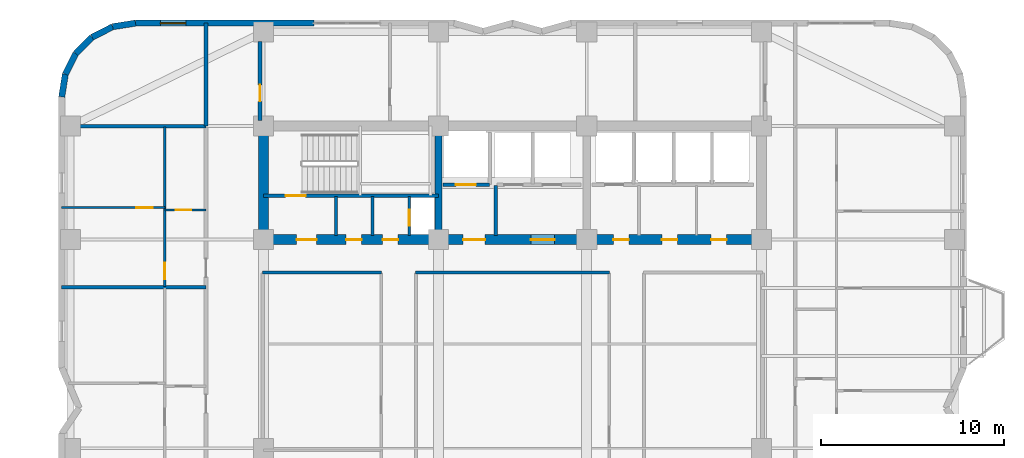
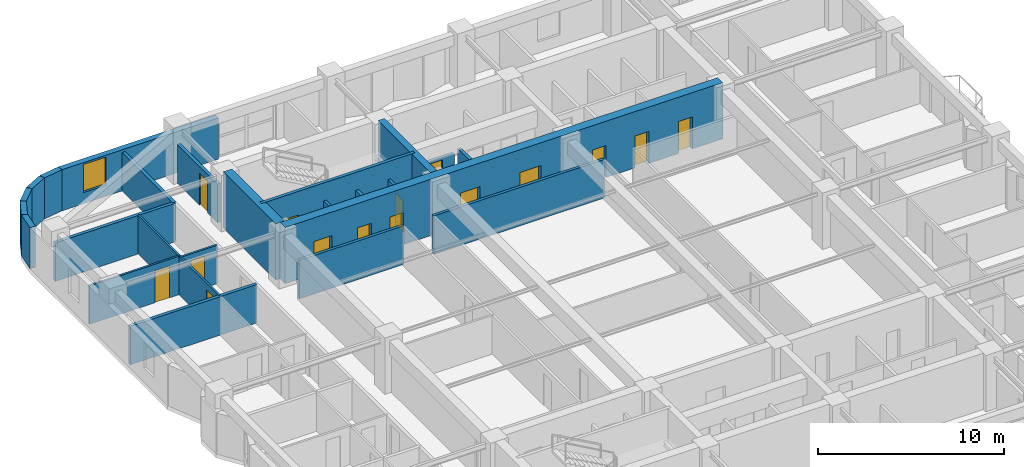
# One storey, part 11 of 15: 24 walls, 15 doors, 1 window, 16 openings.
"""IFC4 building model written with IfcOpenShell, lengths in metres."""

from ifc_helpers import new_model, si_unit, direction, frame, frame_2d, origin, place, context, subcontext, project, spatial, rectangle, extrude, material, layer, layer_set, type_object, element, fill, save


model = new_model("IFC4")

# Units and contexts
model_context = context("Model", 3, precision=1e-05, world=origin(), true_north=direction((0.0, 1.0)))
body_context = subcontext(model_context, "Body", "Model", "MODEL_VIEW")
ifc_project = project(units=[si_unit("LENGTHUNIT", "METRE"), si_unit("AREAUNIT", "SQUARE_METRE"), si_unit("VOLUMEUNIT", "CUBIC_METRE"), si_unit("PLANEANGLEUNIT", "RADIAN"), si_unit("MASSUNIT", "GRAM", prefix="KILO")], contexts=[model_context])

# Site, building, storey
site_placement = place(None, origin())
site = spatial("IfcSite", under=ifc_project, at=site_placement, CompositionType="ELEMENT")
building_placement = place(site_placement, origin())
building = spatial("IfcBuilding", under=site, at=building_placement, Name="Svetorya Sky Lyceum", CompositionType="ELEMENT")
storey_placement = place(building_placement, frame((0.0, 0.0, 99.39990234375)))
storey = spatial("IfcBuildingStorey", under=building, at=storey_placement, Name="L24", CompositionType="ELEMENT", Elevation=99.39990234375)

# Walls
ifc_material_1 = material(Name="Concrete C40/50", Category="concrete")
ifc_layer_1 = layer(ifc_material_1, 0.39990234375)
ifc_layer_set_1 = layer_set([ifc_layer_1], Name="Concrete C40/50")
wall_type_1 = type_object("IfcWallType", Name="WL-CORE-400", PredefinedType="SHEAR", material=ifc_layer_set_1)
wall_1_placement = place(storey_placement, frame((35.14990234375, 39.875, 0.0), z_axis=(0.0, 0.0, 1.0), x_axis=(0.0, 1.0, 0.0)))
element("IfcWall", 1, at=wall_1_placement, inside=storey, type_object=wall_type_1, Name="L24 NC Internal Shear Web WEB1", PredefinedType="SHEAR", context=body_context, shape_type="SweptSolid", body=[
    extrude(rectangle(XDim=5.64990234375, YDim=0.39990234375, at=frame_2d((2.824951171875, 0.0))), origin(), (0.0, 0.0, 1.0), 3.7001953125),
])
ifc_material_2 = material(Name="Concrete C60/75", Category="concrete")
ifc_layer_2 = layer(ifc_material_2, 0.550048828125)
ifc_layer_set_2 = layer_set([ifc_layer_2], Name="Concrete C60/75")
wall_type_2 = type_object("IfcWallType", Name="WL-CORE-550", PredefinedType="SHEAR", material=ifc_layer_set_2)
wall_2_placement = place(storey_placement, frame((25.60009765625, 39.875, 0.0), z_axis=(0.0, 0.0, 1.0), x_axis=(0.0, 1.0, 0.0)))
element("IfcWall", 2, at=wall_2_placement, inside=storey, type_object=wall_type_2, Name="L24 NC West Core Shear Wall", PredefinedType="SHEAR", context=body_context, shape_type="SweptSolid", body=[
    extrude(rectangle(XDim=5.64990234375, YDim=0.550048828125, at=frame_2d((2.824951171875, 0.0))), origin(), (0.0, 0.0, 1.0), 3.7001953125),
])

# Wall, openings, doors
wall_3_placement = place(storey_placement, frame((52.800048828125, 39.60009765625, 0.0), z_axis=(0.0, 0.0, 1.0), x_axis=(-1.0, 0.0, 0.0)))
wall_3 = element("IfcWall", 3, at=wall_3_placement, inside=storey, type_object=wall_type_2, Name="L24 NC Inner Core Shear Wall", PredefinedType="SHEAR", context=body_context, shape_type="SweptSolid", body=[
    extrude(rectangle(XDim=27.199951171875, YDim=0.550048828125, at=frame_2d((13.60009765625, 0.0))), origin(), (0.0, 0.0, 1.0), 3.7001953125),
])
opening_1_placement = place(wall_3_placement, frame((24.300048828125, 0.0, 0.0)))
opening_1 = element("IfcOpeningElement", 4, at=opening_1_placement, cuts=wall_3, Name="Opening D-ST1", PredefinedType="OPENING", context=body_context, shape_type="SweptSolid", body=[
    extrude(rectangle(XDim=1.10009765625, YDim=2.14990234375, at=frame_2d((0.550048828125, 1.074951171875))), frame((0.0, 0.284912109375, 0.0), z_axis=(0.0, -1.0, 0.0), x_axis=(1.0, 0.0, 0.0)), (0.0, 0.0, 1.0), 0.570068359375),
])
opening_2_placement = place(wall_3_placement, frame((21.85009765625, 0.0, 0.0)))
opening_2 = element("IfcOpeningElement", 5, at=opening_2_placement, cuts=wall_3, Name="Opening D-CWC1", PredefinedType="OPENING", context=body_context, shape_type="SweptSolid", body=[
    extrude(rectangle(XDim=0.85009765625, YDim=2.10009765625, at=frame_2d((0.425048828125, 1.050048828125))), frame((0.0, 0.284912109375, 0.0), z_axis=(0.0, -1.0, 0.0), x_axis=(1.0, 0.0, 0.0)), (0.0, 0.0, 1.0), 0.570068359375),
])
opening_3_placement = place(wall_3_placement, frame((19.85009765625, 0.0, 0.0)))
opening_3 = element("IfcOpeningElement", 6, at=opening_3_placement, cuts=wall_3, Name="Opening D-CWC1", PredefinedType="OPENING", context=body_context, shape_type="SweptSolid", body=[
    extrude(rectangle(XDim=0.85009765625, YDim=2.10009765625, at=frame_2d((0.425048828125, 1.050048828125))), frame((0.0, 0.284912109375, 0.0), z_axis=(0.0, -1.0, 0.0), x_axis=(1.0, 0.0, 0.0)), (0.0, 0.0, 1.0), 0.570068359375),
])
opening_4_placement = place(wall_3_placement, frame((15.10009765625, 0.0, 0.0)))
opening_4 = element("IfcOpeningElement", 7, at=opening_4_placement, cuts=wall_3, Name="Opening D-FL1", PredefinedType="OPENING", context=body_context, shape_type="SweptSolid", body=[
    extrude(rectangle(XDim=1.199951171875, YDim=2.14990234375, at=frame_2d((0.60009765625, 1.074951171875))), frame((0.0, 0.284912109375, 0.0), z_axis=(0.0, -1.0, 0.0), x_axis=(1.0, 0.0, 0.0)), (0.0, 0.0, 1.0), 0.570068359375),
])
opening_5_placement = place(wall_3_placement, frame((11.300048828125, 0.0, 0.0)))
opening_5 = element("IfcOpeningElement", 8, at=opening_5_placement, cuts=wall_3, Name="Opening D-LB1", PredefinedType="OPENING", context=body_context, shape_type="SweptSolid", body=[
    extrude(rectangle(XDim=1.300048828125, YDim=2.199951171875, at=frame_2d((0.64990234375, 1.10009765625))), frame((0.0, 0.284912109375, 0.0), z_axis=(0.0, -1.0, 0.0), x_axis=(1.0, 0.0, 0.0)), (0.0, 0.0, 1.0), 0.570068359375),
])
opening_6_placement = place(wall_3_placement, frame((7.25, 0.0, 0.0)))
opening_6 = element("IfcOpeningElement", 9, at=opening_6_placement, cuts=wall_3, Name="Opening D-CWC1", PredefinedType="OPENING", context=body_context, shape_type="SweptSolid", body=[
    extrude(rectangle(XDim=0.85009765625, YDim=2.10009765625, at=frame_2d((0.425048828125, 1.050048828125))), frame((0.0, 0.284912109375, 0.0), z_axis=(0.0, -1.0, 0.0), x_axis=(1.0, 0.0, 0.0)), (0.0, 0.0, 1.0), 0.570068359375),
])
opening_7_placement = place(wall_3_placement, frame((4.60009765625, 0.0, 0.0)))
opening_7 = element("IfcOpeningElement", 10, at=opening_7_placement, cuts=wall_3, Name="Opening D-CWC1", PredefinedType="OPENING", context=body_context, shape_type="SweptSolid", body=[
    extrude(rectangle(XDim=0.85009765625, YDim=2.10009765625, at=frame_2d((0.425048828125, 1.050048828125))), frame((0.0, 0.284912109375, 0.0), z_axis=(0.0, -1.0, 0.0), x_axis=(1.0, 0.0, 0.0)), (0.0, 0.0, 1.0), 0.570068359375),
])
opening_8_placement = place(wall_3_placement, frame((1.89990234375, 0.0, 0.0)))
opening_8 = element("IfcOpeningElement", 11, at=opening_8_placement, cuts=wall_3, Name="Opening D-CWC1", PredefinedType="OPENING", context=body_context, shape_type="SweptSolid", body=[
    extrude(rectangle(XDim=0.85009765625, YDim=2.10009765625, at=frame_2d((0.425048828125, 1.050048828125))), frame((0.0, 0.284912109375, 0.0), z_axis=(0.0, -1.0, 0.0), x_axis=(1.0, 0.0, 0.0)), (0.0, 0.0, 1.0), 0.570068359375),
])
ifc_material_3 = material(Name="Fire-rated galvanized steel core service closet door", Category="steel")
door_type_1 = type_object("IfcDoorType", Name="DR-CWET-850", OperationType="SINGLE_SWING_LEFT", PredefinedType="DOOR", material=ifc_material_3)
door_1_placement = place(opening_2_placement, origin())
door_1 = element("IfcDoor", 12, at=door_1_placement, inside=storey, type_object=door_type_1, Name="L24 North Cleaner Door", OperationType="SINGLE_SWING_RIGHT", OverallHeight=2.10009765625, OverallWidth=0.85009765625, PredefinedType="DOOR", context=body_context, shape_type="SweptSolid", body=[
    extrude(rectangle(XDim=0.85009765625, YDim=2.10009765625, at=frame_2d((0.425048828125, 1.050048828125))), frame((0.0, 0.02490234375, 0.0), z_axis=(0.0, -1.0, 0.0), x_axis=(1.0, 0.0, 0.0)), (0.0, 0.0, 1.0), 0.050048828125),
])
fill(opening_2, door_1)
door_2_placement = place(opening_3_placement, origin())
door_2 = element("IfcDoor", 13, at=door_2_placement, inside=storey, type_object=door_type_1, Name="L24 North Meter Door", OperationType="SINGLE_SWING_LEFT", OverallHeight=2.10009765625, OverallWidth=0.85009765625, PredefinedType="DOOR", context=body_context, shape_type="SweptSolid", body=[
    extrude(rectangle(XDim=0.85009765625, YDim=2.10009765625, at=frame_2d((0.425048828125, 1.050048828125))), frame((0.0, 0.02490234375, 0.0), z_axis=(0.0, -1.0, 0.0), x_axis=(1.0, 0.0, 0.0)), (0.0, 0.0, 1.0), 0.050048828125),
])
fill(opening_3, door_2)
door_3_placement = place(opening_6_placement, origin())
door_3 = element("IfcDoor", 14, at=door_3_placement, inside=storey, type_object=door_type_1, Name="L24 Mid-Rise Lift PM3 Lobby Door", OperationType="SINGLE_SWING_LEFT", OverallHeight=2.10009765625, OverallWidth=0.85009765625, PredefinedType="DOOR", context=body_context, shape_type="SweptSolid", body=[
    extrude(rectangle(XDim=0.85009765625, YDim=2.10009765625, at=frame_2d((0.425048828125, 1.050048828125))), frame((0.0, 0.02490234375, 0.0), z_axis=(0.0, -1.0, 0.0), x_axis=(1.0, 0.0, 0.0)), (0.0, 0.0, 1.0), 0.050048828125),
])
fill(opening_6, door_3)
door_4_placement = place(opening_7_placement, origin())
door_4 = element("IfcDoor", 15, at=door_4_placement, inside=storey, type_object=door_type_1, Name="L24 Mid-Rise WC Door", OperationType="SINGLE_SWING_LEFT", OverallHeight=2.10009765625, OverallWidth=0.85009765625, PredefinedType="DOOR", context=body_context, shape_type="SweptSolid", body=[
    extrude(rectangle(XDim=0.85009765625, YDim=2.10009765625, at=frame_2d((0.425048828125, 1.050048828125))), frame((0.0, 0.02490234375, 0.0), z_axis=(0.0, -1.0, 0.0), x_axis=(1.0, 0.0, 0.0)), (0.0, 0.0, 1.0), 0.050048828125),
])
fill(opening_7, door_4)
door_5_placement = place(opening_8_placement, origin())
door_5 = element("IfcDoor", 16, at=door_5_placement, inside=storey, type_object=door_type_1, Name="L24 Mid-Rise Switch Closet Door", OperationType="SINGLE_SWING_RIGHT", OverallHeight=2.10009765625, OverallWidth=0.85009765625, PredefinedType="DOOR", context=body_context, shape_type="SweptSolid", body=[
    extrude(rectangle(XDim=0.85009765625, YDim=2.10009765625, at=frame_2d((0.425048828125, 1.050048828125))), frame((0.0, 0.02490234375, 0.0), z_axis=(0.0, -1.0, 0.0), x_axis=(1.0, 0.0, 0.0)), (0.0, 0.0, 1.0), 0.050048828125),
])
fill(opening_8, door_5)
ifc_material_4 = material(Name="Powder-coated insulated galvanized stair fire door")
door_type_2 = type_object("IfcDoorType", Name="DR-FIRE-1100", OperationType="SINGLE_SWING_LEFT", PredefinedType="DOOR", material=ifc_material_4)
door_6_placement = place(opening_1_placement, origin())
door_6 = element("IfcDoor", 17, at=door_6_placement, inside=storey, type_object=door_type_2, Name="L24 North Stair Airlock Door", OperationType="SINGLE_SWING_LEFT", OverallHeight=2.14990234375, OverallWidth=1.10009765625, PredefinedType="DOOR", context=body_context, shape_type="SweptSolid", body=[
    extrude(rectangle(XDim=1.10009765625, YDim=2.14990234375, at=frame_2d((0.550048828125, 1.074951171875))), frame((0.0, 0.02490234375, 0.0), z_axis=(0.0, -1.0, 0.0), x_axis=(1.0, 0.0, 0.0)), (0.0, 0.0, 1.0), 0.050048828125),
])
fill(opening_1, door_6)
ifc_material_5 = material(Name="Powder-coated insulated galvanized fire door")
door_type_3 = type_object("IfcDoorType", Name="DR-FIRE-1200", OperationType="SINGLE_SWING_LEFT", PredefinedType="DOOR", material=ifc_material_5)
door_7_placement = place(opening_4_placement, origin())
door_7 = element("IfcDoor", 18, at=door_7_placement, inside=storey, type_object=door_type_3, Name="L24 North Firefighting Lift Lobby Door", OperationType="SINGLE_SWING_RIGHT", OverallHeight=2.14990234375, OverallWidth=1.199951171875, PredefinedType="DOOR", context=body_context, shape_type="SweptSolid", body=[
    extrude(rectangle(XDim=1.199951171875, YDim=2.14990234375, at=frame_2d((0.60009765625, 1.074951171875))), frame((0.0, 0.02490234375, 0.0), z_axis=(0.0, -1.0, 0.0), x_axis=(1.0, 0.0, 0.0)), (0.0, 0.0, 1.0), 0.050048828125),
])
fill(opening_4, door_7)
ifc_material_6 = material(Name="Glazed fire-rated aluminium lobby door", Category="aluminium")
door_type_4 = type_object("IfcDoorType", Name="DR-LOB-1300", OperationType="SINGLE_SWING_LEFT", PredefinedType="DOOR", material=ifc_material_6)
door_8_placement = place(opening_5_placement, origin())
door_8 = element("IfcDoor", 19, at=door_8_placement, inside=storey, type_object=door_type_4, Name="L24 Mid-Rise Lift Lobby West Door", OperationType="SINGLE_SWING_LEFT", OverallHeight=2.199951171875, OverallWidth=1.300048828125, PredefinedType="DOOR", context=body_context, shape_type="SweptSolid", body=[
    extrude(rectangle(XDim=1.300048828125, YDim=2.199951171875, at=frame_2d((0.64990234375, 1.10009765625))), frame((0.0, 0.02490234375, 0.0), z_axis=(0.0, -1.0, 0.0), x_axis=(1.0, 0.0, 0.0)), (0.0, 0.0, 1.0), 0.050048828125),
])
fill(opening_5, door_8)

# Wall, opening, window
ifc_material_7 = material(Name="Putilovo limestone rainscreen on autoclaved cellular masonry", Category="masonry")
ifc_layer_3 = layer(ifc_material_7, 0.340087890625)
ifc_layer_set_3 = layer_set([ifc_layer_3], Name="Putilovo limestone rainscreen on autoclaved cellular masonry")
wall_type_3 = type_object("IfcWallType", Name="WL-EXT-340", PredefinedType="SOLIDWALL", material=ifc_layer_set_3)
wall_4_placement = place(storey_placement, frame((28.35009765625, 51.429931640625, 0.0), z_axis=(0.0, 0.0, 1.0), x_axis=(-1.0, 0.0, 0.0)))
wall_4 = element("IfcWall", 20, at=wall_4_placement, inside=storey, type_object=wall_type_3, Name="L24 Limestone Exterior Wall 34B", PredefinedType="SOLIDWALL", context=body_context, shape_type="SweptSolid", body=[
    extrude(rectangle(XDim=9.75, YDim=0.340087890625, at=frame_2d((4.875, 0.0))), origin(), (0.0, 0.0, 1.0), 2.7001953125),
])
opening_9_placement = place(wall_4_placement, frame((6.99169921875, 0.0, 0.72998046875)))
opening_9 = element("IfcOpeningElement", 21, at=opening_9_placement, cuts=wall_4, Name="Opening W-R2", PredefinedType="OPENING", context=body_context, shape_type="SweptSolid", body=[
    extrude(rectangle(XDim=1.39990234375, YDim=1.85009765625, at=frame_2d((0.699951171875, 0.925048828125))), frame((0.0, 0.179931640625, 0.0), z_axis=(0.0, -1.0, 0.0), x_axis=(1.0, 0.0, 0.0)), (0.0, 0.0, 1.0), 0.360107421875),
])
ifc_material_8 = material(Name="Thermally broken aluminium frame with triple low-E glazing", Category="aluminium")
window_type = type_object("IfcWindowType", Name="WN-RES-140", PartitioningType="SINGLE_PANEL", PredefinedType="WINDOW", material=ifc_material_8)
window_placement = place(opening_9_placement, origin())
window = element("IfcWindow", 22, at=window_placement, inside=storey, type_object=window_type, Name="L24 Facade Window W-R2.34B.1", OverallHeight=1.85009765625, OverallWidth=1.39990234375, PartitioningType="SINGLE_PANEL", PredefinedType="WINDOW", context=body_context, shape_type="SweptSolid", body=[
    extrude(rectangle(XDim=1.39990234375, YDim=1.85009765625, at=frame_2d((0.699951171875, 0.925048828125))), frame((0.0, 0.030029296875, 0.0), z_axis=(0.0, -1.0, 0.0), x_axis=(1.0, 0.0, 0.0)), (0.0, 0.0, 1.0), 0.06005859375),
])
fill(opening_9, window)

# Walls
wall_5_placement = place(storey_placement, frame((18.60009765625, 51.429931640625, 0.0), z_axis=(0.0, 0.0, 1.0), x_axis=(-0.98771582066, -0.156260864002, 0.0)))
element("IfcWall", 23, at=wall_5_placement, inside=storey, type_object=wall_type_3, Name="L24 Limestone Exterior Wall 35M", PredefinedType="SOLIDWALL", context=body_context, shape_type="SweptSolid", body=[
    extrude(rectangle(XDim=1.2607421875, YDim=0.340087890625, at=frame_2d((0.63037109375, 0.0))), origin(), (0.0, 0.0, 1.0), 2.7001953125),
])
for number, where, z_axis, x_axis, name in (
    (24, (17.354736328125, 51.23291015625, 0.0), (0.0, 0.0, 1.0), (-0.890993689142, -0.454015689056, 0.0), "L24 Limestone Exterior Wall 36M"),
    (25, (16.231201171875, 50.660400390625, 0.0), (0.0, 0.0, 1.0), (-0.707106781187, -0.707106781187, 0.0), "L24 Limestone Exterior Wall 37M"),
    (26, (15.339599609375, 49.768798828125, 0.0), (0.0, 0.0, 1.0), (-0.454015689056, -0.890993689142, 0.0), "L24 Limestone Exterior Wall 38M"),
):
    element("IfcWall", number, at=place(storey_placement, frame(where, z_axis=z_axis, x_axis=x_axis)), inside=storey, type_object=wall_type_3, Name=name, PredefinedType="SOLIDWALL", context=body_context, shape_type="SweptSolid", body=[
        extrude(rectangle(XDim=1.260986328125, YDim=0.340087890625, at=frame_2d((0.63037109375, 0.0))), origin(), (0.0, 0.0, 1.0), 2.7001953125),
    ])
wall_6_placement = place(storey_placement, frame((14.76708984375, 48.645263671875, 0.0), z_axis=(0.0, 0.0, 1.0), x_axis=(-0.156260864002, -0.98771582066, 0.0)))
element("IfcWall", 27, at=wall_6_placement, inside=storey, type_object=wall_type_3, Name="L24 Limestone Exterior Wall 39M", PredefinedType="SOLIDWALL", context=body_context, shape_type="SweptSolid", body=[
    extrude(rectangle(XDim=1.2607421875, YDim=0.340087890625, at=frame_2d((0.63037109375, 0.0))), origin(), (0.0, 0.0, 1.0), 2.7001953125),
])

# Wall, opening, door
ifc_material_9 = material(Name="Twin-stud galvanized framing with double fireboard", Category="gypsum")
ifc_layer_4 = layer(ifc_material_9, 0.1201171875)
ifc_layer_set_4 = layer_set([ifc_layer_4], Name="Twin-stud galvanized framing with double fireboard")
wall_type_4 = type_object("IfcWallType", Name="WL-PART-120", PredefinedType="PARTITIONING", material=ifc_layer_set_4)
wall_7_placement = place(storey_placement, frame((20.199951171875, 41.219970703125, 0.0), z_axis=(0.0, 0.0, 1.0), x_axis=(1.0, 0.0, 0.0)))
wall_7 = element("IfcWall", 28, at=wall_7_placement, inside=storey, type_object=wall_type_4, Name="L24 Interior Partition W4-WH1", PredefinedType="PARTITIONING", context=body_context, shape_type="SweptSolid", body=[
    extrude(rectangle(XDim=2.25, YDim=0.1201171875, at=frame_2d((1.125, 0.0))), origin(), (0.0, 0.0, 1.0), 2.530029296875),
])
opening_10_placement = place(wall_7_placement, frame((0.60009765625, 0.0, 0.0)))
opening_10 = element("IfcOpeningElement", 29, at=opening_10_placement, cuts=wall_7, Name="Opening D-BT1", PredefinedType="OPENING", context=body_context, shape_type="SweptSolid", body=[
    extrude(rectangle(XDim=0.85009765625, YDim=2.10009765625, at=frame_2d((0.425048828125, 1.050048828125))), frame((0.0, 0.070068359375, 0.0), z_axis=(0.0, -1.0, 0.0), x_axis=(1.0, 0.0, 0.0)), (0.0, 0.0, 1.0), 0.14013671875),
])
ifc_material_10 = material(Name="Moisture-resistant laminate bathroom door")
door_type_5 = type_object("IfcDoorType", Name="DR-WET-850", OperationType="SINGLE_SWING_LEFT", PredefinedType="DOOR", material=ifc_material_10)
door_9_placement = place(opening_10_placement, origin())
door_9 = element("IfcDoor", 30, at=door_9_placement, inside=storey, type_object=door_type_5, Name="Apartment W4 Bathroom Door", OperationType="SINGLE_SWING_RIGHT", OverallHeight=2.10009765625, OverallWidth=0.85009765625, PredefinedType="DOOR", context=body_context, shape_type="SweptSolid", body=[
    extrude(rectangle(XDim=0.85009765625, YDim=2.10009765625, at=frame_2d((0.425048828125, 1.050048828125))), frame((0.0, 0.02490234375, 0.0), z_axis=(0.0, -1.0, 0.0), x_axis=(1.0, 0.0, 0.0)), (0.0, 0.0, 1.0), 0.050048828125),
])
fill(opening_10, door_9)

wall_8_placement = place(storey_placement, frame((14.570068359375, 41.35009765625, 0.0), z_axis=(0.0, 0.0, 1.0), x_axis=(1.0, 0.0, 0.0)))
wall_8 = element("IfcWall", 31, at=wall_8_placement, inside=storey, type_object=wall_type_4, Name="L24 Interior Partition W4-WL1", PredefinedType="PARTITIONING", context=body_context, shape_type="SweptSolid", body=[
    extrude(rectangle(XDim=5.6298828125, YDim=0.1201171875, at=frame_2d((2.81494140625, 0.0))), origin(), (0.0, 0.0, 1.0), 2.530029296875),
])
opening_11_placement = place(wall_8_placement, frame((4.080078125, 0.0, 0.0)))
opening_11 = element("IfcOpeningElement", 32, at=opening_11_placement, cuts=wall_8, Name="Opening D-RM1", PredefinedType="OPENING", context=body_context, shape_type="SweptSolid", body=[
    extrude(rectangle(XDim=0.89990234375, YDim=2.10009765625, at=frame_2d((0.449951171875, 1.050048828125))), frame((0.0, 0.070068359375, 0.0), z_axis=(0.0, -1.0, 0.0), x_axis=(1.0, 0.0, 0.0)), (0.0, 0.0, 1.0), 0.14013671875),
])
ifc_material_11 = material(Name="Lacquered birch veneer internal door")
door_type_6 = type_object("IfcDoorType", Name="DR-INT-900", OperationType="SINGLE_SWING_LEFT", PredefinedType="DOOR", material=ifc_material_11)
door_10_placement = place(opening_11_placement, origin())
door_10 = element("IfcDoor", 33, at=door_10_placement, inside=storey, type_object=door_type_6, Name="Apartment W4 Bedroom 1 Door", OperationType="SINGLE_SWING_RIGHT", OverallHeight=2.10009765625, OverallWidth=0.89990234375, PredefinedType="DOOR", context=body_context, shape_type="SweptSolid", body=[
    extrude(rectangle(XDim=0.89990234375, YDim=2.10009765625, at=frame_2d((0.449951171875, 1.050048828125))), frame((0.0, 0.02490234375, 0.0), z_axis=(0.0, -1.0, 0.0), x_axis=(1.0, 0.0, 0.0)), (0.0, 0.0, 1.0), 0.050048828125),
])
fill(opening_11, door_10)

wall_9_placement = place(storey_placement, frame((20.199951171875, 37.0400390625, 0.0), z_axis=(0.0, 0.0, 1.0), x_axis=(0.0, 1.0, 0.0)))
wall_9 = element("IfcWall", 34, at=wall_9_placement, inside=storey, type_object=wall_type_4, Name="L24 Interior Partition W4-WV", PredefinedType="PARTITIONING", context=body_context, shape_type="SweptSolid", body=[
    extrude(rectangle(XDim=8.719970703125, YDim=0.1201171875, at=frame_2d((4.35986328125, 0.0))), origin(), (0.0, 0.0, 1.0), 2.530029296875),
])
opening_12_placement = place(wall_9_placement, frame((0.409912109375, 0.0, 0.0)))
opening_12 = element("IfcOpeningElement", 35, at=opening_12_placement, cuts=wall_9, Name="Opening D-RM1", PredefinedType="OPENING", context=body_context, shape_type="SweptSolid", body=[
    extrude(rectangle(XDim=0.89990234375, YDim=2.10009765625, at=frame_2d((0.449951171875, 1.050048828125))), frame((0.0, 0.070068359375, 0.0), z_axis=(0.0, -1.0, 0.0), x_axis=(1.0, 0.0, 0.0)), (0.0, 0.0, 1.0), 0.14013671875),
])
door_11_placement = place(opening_12_placement, origin())
door_11 = element("IfcDoor", 36, at=door_11_placement, inside=storey, type_object=door_type_6, Name="Apartment W4 Living Door", OperationType="SINGLE_SWING_LEFT", OverallHeight=2.10009765625, OverallWidth=0.89990234375, PredefinedType="DOOR", context=body_context, shape_type="SweptSolid", body=[
    extrude(rectangle(XDim=0.89990234375, YDim=2.10009765625, at=frame_2d((0.449951171875, 1.050048828125))), frame((0.0, 0.02490234375, 0.0), z_axis=(0.0, -1.0, 0.0), x_axis=(1.0, 0.0, 0.0)), (0.0, 0.0, 1.0), 0.050048828125),
])
fill(opening_12, door_11)

ifc_material_12 = material(Name="Autoclaved cellular masonry blockwork with acoustic render", Category="masonry")
ifc_layer_5 = layer(ifc_material_12, 0.14990234375)
ifc_layer_set_5 = layer_set([ifc_layer_5], Name="Autoclaved cellular masonry blockwork with acoustic render")
wall_type_5 = type_object("IfcWallType", Name="WL-PART-150", PredefinedType="PARTITIONING", material=ifc_layer_set_5)
wall_10_placement = place(storey_placement, frame((33.550048828125, 39.820068359375, 0.0), z_axis=(0.0, 0.0, 1.0), x_axis=(0.0, 1.0, 0.0)))
wall_10 = element("IfcWall", 37, at=wall_10_placement, inside=storey, type_object=wall_type_5, Name="L24 Interior Partition NC-RSRW", PredefinedType="PARTITIONING", context=body_context, shape_type="SweptSolid", body=[
    extrude(rectangle(XDim=2.1298828125, YDim=0.14990234375, at=frame_2d((1.06494140625, 0.0))), origin(), (0.0, 0.0, 1.0), 2.530029296875),
])
opening_13_placement = place(wall_10_placement, frame((0.550048828125, 0.0, 0.0)))
opening_13 = element("IfcOpeningElement", 38, at=opening_13_placement, cuts=wall_10, Name="Opening D-SH1", PredefinedType="OPENING", context=body_context, shape_type="SweptSolid", body=[
    extrude(rectangle(XDim=0.85009765625, YDim=2.050048828125, at=frame_2d((0.425048828125, 1.02490234375))), frame((0.0, 0.0849609375, 0.0), z_axis=(0.0, -1.0, 0.0), x_axis=(1.0, 0.0, 0.0)), (0.0, 0.0, 1.0), 0.169921875),
])
ifc_material_13 = material(Name="Insulated galvanized riser inspection fire door")
door_type_7 = type_object("IfcDoorType", Name="DR-SHFT-850", OperationType="SINGLE_SWING_LEFT", PredefinedType="TRAPDOOR", material=ifc_material_13)
door_12_placement = place(opening_13_placement, origin())
door_12 = element("IfcDoor", 39, at=door_12_placement, inside=storey, type_object=door_type_7, Name="L24 North Riser Access Door", OperationType="SINGLE_SWING_LEFT", OverallHeight=2.050048828125, OverallWidth=0.85009765625, PredefinedType="TRAPDOOR", context=body_context, shape_type="SweptSolid", body=[
    extrude(rectangle(XDim=0.85009765625, YDim=2.050048828125, at=frame_2d((0.425048828125, 1.02490234375))), frame((0.0, 0.02490234375, 0.0), z_axis=(0.0, -1.0, 0.0), x_axis=(1.0, 0.0, 0.0)), (0.0, 0.0, 1.0), 0.050048828125),
])
fill(opening_13, door_12)

# Walls
ifc_material_14 = material(Name="Autoclaved cellular masonry blockwork with fire render", Category="masonry")
ifc_layer_6 = layer(ifc_material_14, 0.175048828125)
ifc_layer_set_6 = layer_set([ifc_layer_6], Name="Autoclaved cellular masonry blockwork with fire render")
wall_type_6 = type_object("IfcWallType", Name="WL-PART-175", PredefinedType="PARTITIONING", material=ifc_layer_set_6)
for number, where, z_axis, x_axis, name in (
    (40, (29.550048828125, 39.820068359375, 0.0), (0.0, 0.0, 1.0), (0.0, 1.0, 0.0), "L24 Interior Partition NC-NWD1"),
    (41, (31.550048828125, 39.820068359375, 0.0), (0.0, 0.0, 1.0), (0.0, 1.0, 0.0), "L24 Interior Partition NC-NWD2"),
):
    element("IfcWall", number, at=place(storey_placement, frame(where, z_axis=z_axis, x_axis=x_axis)), inside=storey, type_object=wall_type_6, Name=name, PredefinedType="PARTITIONING", context=body_context, shape_type="SweptSolid", body=[
        extrude(rectangle(XDim=2.1298828125, YDim=0.175048828125, at=frame_2d((1.06494140625, 0.0))), origin(), (0.0, 0.0, 1.0), 2.530029296875),
    ])
wall_11_placement = place(storey_placement, frame((25.550048828125, 37.800048828125, 0.0), z_axis=(0.0, 0.0, 1.0), x_axis=(1.0, 0.0, 0.0)))
element("IfcWall", 42, at=wall_11_placement, inside=storey, type_object=wall_type_6, Name="L24 Interior Partition RL-CN-W", PredefinedType="PARTITIONING", context=body_context, shape_type="SweptSolid", body=[
    extrude(rectangle(XDim=6.5, YDim=0.175048828125, at=frame_2d((3.25, 0.0))), origin(), (0.0, 0.0, 1.0), 2.530029296875),
])
wall_12_placement = place(storey_placement, frame((33.89990234375, 37.800048828125, 0.0), z_axis=(0.0, 0.0, 1.0), x_axis=(1.0, 0.0, 0.0)))
element("IfcWall", 43, at=wall_12_placement, inside=storey, type_object=wall_type_6, Name="L24 Interior Partition RL-CN-M", PredefinedType="PARTITIONING", context=body_context, shape_type="SweptSolid", body=[
    extrude(rectangle(XDim=10.60009765625, YDim=0.175048828125, at=frame_2d((5.300048828125, 0.0))), origin(), (0.0, 0.0, 1.0), 2.530029296875),
])

# Wall, opening, door
ifc_material_15 = material(Name="Autoclaved cellular masonry blockwork with gypsum plaster", Category="masonry")
ifc_layer_7 = layer(ifc_material_15, 0.199951171875)
ifc_layer_set_7 = layer_set([ifc_layer_7], Name="Autoclaved cellular masonry blockwork with gypsum plaster")
wall_type_7 = type_object("IfcWallType", Name="WL-PART-200", PredefinedType="PARTITIONING", material=ifc_layer_set_7)
wall_13_placement = place(storey_placement, frame((37.949951171875, 42.60009765625, 0.0), z_axis=(0.0, 0.0, 1.0), x_axis=(-1.0, 0.0, 0.0)))
wall_13 = element("IfcWall", 44, at=wall_13_placement, inside=storey, type_object=wall_type_7, Name="L24 Interior Partition NC-FL1W", PredefinedType="PARTITIONING", context=body_context, shape_type="SweptSolid", body=[
    extrude(rectangle(XDim=2.550048828125, YDim=0.199951171875, at=frame_2d((1.27490234375, 0.0))), origin(), (0.0, 0.0, 1.0), 2.300048828125),
])
opening_14_placement = place(wall_13_placement, frame((0.75, 0.0, 0.0)))
opening_14 = element("IfcOpeningElement", 45, at=opening_14_placement, cuts=wall_13, Name="Opening LD-FL", PredefinedType="OPENING", context=body_context, shape_type="SweptSolid", body=[
    extrude(rectangle(XDim=1.10009765625, YDim=2.14990234375, at=frame_2d((0.550048828125, 1.074951171875))), frame((0.0, 0.10986328125, 0.0), z_axis=(0.0, -1.0, 0.0), x_axis=(1.0, 0.0, 0.0)), (0.0, 0.0, 1.0), 0.219970703125),
])
ifc_material_16 = material(Name="Fire-rated stainless AISI 304 firefighting lift landing door")
door_type_8 = type_object("IfcDoorType", Name="DR-LIFT-1100", OperationType="SLIDING_TO_LEFT", PredefinedType="DOOR", material=ifc_material_16)
door_13_placement = place(opening_14_placement, origin())
door_13 = element("IfcDoor", 46, at=door_13_placement, inside=storey, type_object=door_type_8, Name="L24 Firefighting Lift FL1 Landing Door", OperationType="SLIDING_TO_LEFT", OverallHeight=2.14990234375, OverallWidth=1.10009765625, PredefinedType="DOOR", context=body_context, shape_type="SweptSolid", body=[
    extrude(rectangle(XDim=1.10009765625, YDim=2.14990234375, at=frame_2d((0.550048828125, 1.074951171875))), frame((0.0, 0.02490234375, 0.0), z_axis=(0.0, -1.0, 0.0), x_axis=(1.0, 0.0, 0.0)), (0.0, 0.0, 1.0), 0.050048828125),
])
fill(opening_14, door_13)

# Walls
wall_14_placement = place(storey_placement, frame((38.280029296875, 39.820068359375, 0.0), z_axis=(0.0, 0.0, 1.0), x_axis=(0.0, 1.0, 0.0)))
element("IfcWall", 47, at=wall_14_placement, inside=storey, type_object=wall_type_7, Name="L24 Interior Partition NC-FFLDIV", PredefinedType="PARTITIONING", context=body_context, shape_type="SweptSolid", body=[
    extrude(rectangle(XDim=2.72998046875, YDim=0.199951171875, at=frame_2d((1.364990234375, 0.0))), origin(), (0.0, 0.0, 1.0), 2.530029296875),
])
wall_15_placement = place(storey_placement, frame((14.570068359375, 37.0, 0.0), z_axis=(0.0, 0.0, 1.0), x_axis=(1.0, 0.0, 0.0)))
element("IfcWall", 48, at=wall_15_placement, inside=storey, type_object=wall_type_7, Name="L24 Interior Partition W-PARTY-3", PredefinedType="PARTITIONING", context=body_context, shape_type="SweptSolid", body=[
    extrude(rectangle(XDim=7.8798828125, YDim=0.199951171875, at=frame_2d((3.93994140625, 0.0))), origin(), (0.0, 0.0, 1.0), 2.530029296875),
])
wall_16_placement = place(storey_placement, frame((14.989990234375, 45.800048828125, 0.0), z_axis=(0.0, 0.0, 1.0), x_axis=(1.0, 0.0, 0.0)))
element("IfcWall", 49, at=wall_16_placement, inside=storey, type_object=wall_type_7, Name="L24 Interior Partition W-CAP-N", PredefinedType="PARTITIONING", context=body_context, shape_type="SweptSolid", body=[
    extrude(rectangle(XDim=7.4599609375, YDim=0.199951171875, at=frame_2d((3.72998046875, 0.0))), origin(), (0.0, 0.0, 1.0), 2.530029296875),
])
wall_17_placement = place(storey_placement, frame((22.449951171875, 45.800048828125, 0.0), z_axis=(0.0, 0.0, 1.0), x_axis=(0.0, 1.0, 0.0)))
element("IfcWall", 50, at=wall_17_placement, inside=storey, type_object=wall_type_7, Name="L24 Interior Partition WC-NW-END", PredefinedType="PARTITIONING", context=body_context, shape_type="SweptSolid", body=[
    extrude(rectangle(XDim=5.6298828125, YDim=0.199951171875, at=frame_2d((2.81494140625, 0.0))), origin(), (0.0, 0.0, 1.0), 2.530029296875),
])

# Wall, opening, door
wall_18_placement = place(storey_placement, frame((25.39990234375, 46.10009765625, 0.0), z_axis=(0.0, 0.0, 1.0), x_axis=(0.0, 1.0, 0.0)))
wall_18 = element("IfcWall", 51, at=wall_18_placement, inside=storey, type_object=wall_type_7, Name="L24 Interior Partition N-EW", PredefinedType="PARTITIONING", context=body_context, shape_type="SweptSolid", body=[
    extrude(rectangle(XDim=4.329833984375, YDim=0.199951171875, at=frame_2d((2.1650390625, 0.0))), origin(), (0.0, 0.0, 1.0), 2.530029296875),
])
opening_15_placement = place(wall_18_placement, frame((1.050048828125, 0.0, 0.0)))
opening_15 = element("IfcOpeningElement", 52, at=opening_15_placement, cuts=wall_18, Name="Opening D-RM1", PredefinedType="OPENING", context=body_context, shape_type="SweptSolid", body=[
    extrude(rectangle(XDim=0.89990234375, YDim=2.10009765625, at=frame_2d((0.449951171875, 1.050048828125))), frame((0.0, 0.10986328125, 0.0), z_axis=(0.0, -1.0, 0.0), x_axis=(1.0, 0.0, 0.0)), (0.0, 0.0, 1.0), 0.219970703125),
])
door_14_placement = place(opening_15_placement, origin())
door_14 = element("IfcDoor", 53, at=door_14_placement, inside=storey, type_object=door_type_6, Name="L24 North Study Door", OperationType="SINGLE_SWING_RIGHT", OverallHeight=2.10009765625, OverallWidth=0.89990234375, PredefinedType="DOOR", context=body_context, shape_type="SweptSolid", body=[
    extrude(rectangle(XDim=0.89990234375, YDim=2.10009765625, at=frame_2d((0.449951171875, 1.050048828125))), frame((0.0, 0.02490234375, 0.0), z_axis=(0.0, -1.0, 0.0), x_axis=(1.0, 0.0, 0.0)), (0.0, 0.0, 1.0), 0.050048828125),
])
fill(opening_15, door_14)

ifc_material_17 = material(Name="Concrete C50/60", Category="concrete")
ifc_layer_8 = layer(ifc_material_17, 0.199951171875)
ifc_layer_set_8 = layer_set([ifc_layer_8], Name="Concrete C50/60")
wall_type_8 = type_object("IfcWallType", Name="WL-SHW-200", PredefinedType="SHEAR", material=ifc_layer_set_8)
wall_19_placement = place(storey_placement, frame((35.14990234375, 42.0, 0.0), z_axis=(0.0, 0.0, 1.0), x_axis=(-1.0, 0.0, 0.0)))
wall_19 = element("IfcWall", 54, at=wall_19_placement, inside=storey, type_object=wall_type_8, Name="L24 Structural Stair Shaft Wall NC-STW", PredefinedType="SHEAR", context=body_context, shape_type="SweptSolid", body=[
    extrude(rectangle(XDim=9.5498046875, YDim=0.199951171875, at=frame_2d((4.77490234375, 0.0))), origin(), (0.0, 0.0, 1.0), 3.7001953125),
])
opening_16_placement = place(wall_19_placement, frame((7.25, 0.0, 0.0)))
opening_16 = element("IfcOpeningElement", 55, at=opening_16_placement, cuts=wall_19, Name="Opening D-ST1", PredefinedType="OPENING", context=body_context, shape_type="SweptSolid", body=[
    extrude(rectangle(XDim=1.10009765625, YDim=2.14990234375, at=frame_2d((0.550048828125, 1.074951171875))), frame((0.0, 0.10986328125, 0.0), z_axis=(0.0, -1.0, 0.0), x_axis=(1.0, 0.0, 0.0)), (0.0, 0.0, 1.0), 0.219970703125),
])
door_15_placement = place(opening_16_placement, origin())
door_15 = element("IfcDoor", 56, at=door_15_placement, inside=storey, type_object=door_type_2, Name="L24 Stair ST-N Vestibule Fire Door", OperationType="SINGLE_SWING_RIGHT", OverallHeight=2.14990234375, OverallWidth=1.10009765625, PredefinedType="DOOR", context=body_context, shape_type="SweptSolid", body=[
    extrude(rectangle(XDim=1.10009765625, YDim=2.14990234375, at=frame_2d((0.550048828125, 1.074951171875))), frame((0.0, 0.02490234375, 0.0), z_axis=(0.0, -1.0, 0.0), x_axis=(1.0, 0.0, 0.0)), (0.0, 0.0, 1.0), 0.050048828125),
])
fill(opening_16, door_15)

save(model, "model.ifc")
